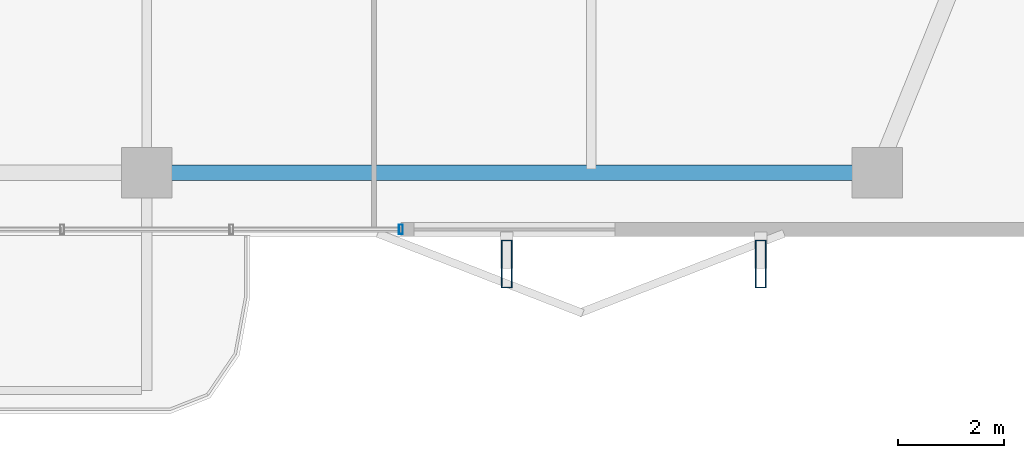
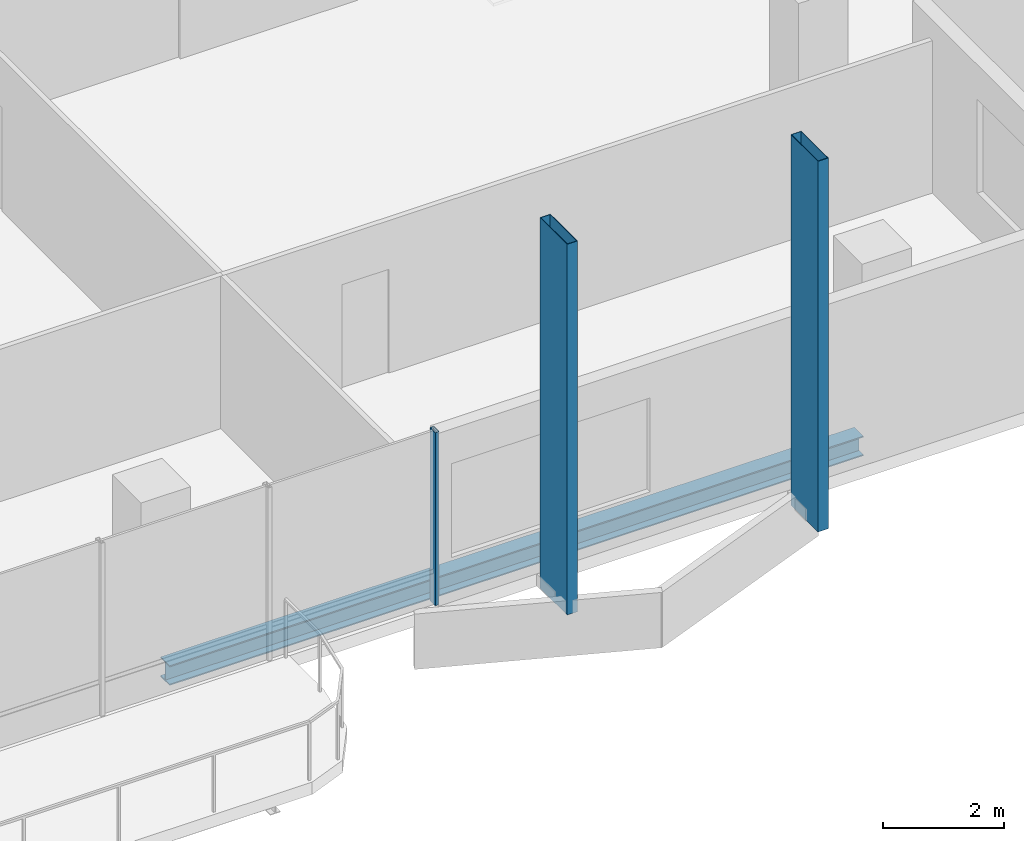
# One storey, part 8 of 25: 3 members, 1 beam, 1 element without a shape of its own.
"""IFC4 building model written with IfcOpenShell, lengths in metres."""

from ifc_helpers import new_model, si_unit, direction, frame, origin, origin_2d, place, context, subcontext, project, spatial, hollow_rectangle, i_section, extrude, material, layer, layer_set, material_profile, profile_set, type_object, element, aggregate, save


model = new_model("IFC4")

# Units and contexts
model_context = context("Model", 3, precision=1e-05, world=origin(), true_north=direction((0.0, 1.0)))
body_context = subcontext(model_context, "Body", "Model", "MODEL_VIEW")
ifc_project = project(units=[si_unit("LENGTHUNIT", "METRE"), si_unit("AREAUNIT", "SQUARE_METRE"), si_unit("VOLUMEUNIT", "CUBIC_METRE"), si_unit("PLANEANGLEUNIT", "RADIAN"), si_unit("MASSUNIT", "GRAM", prefix="KILO")], contexts=[model_context])

# Site, building, storey
site_placement = place(None, origin())
site = spatial("IfcSite", under=ifc_project, at=site_placement, CompositionType="ELEMENT")
building_placement = place(site_placement, origin())
building = spatial("IfcBuilding", under=site, at=building_placement, Name="Belovzor Exchange Tower", CompositionType="ELEMENT")
storey_placement = place(building_placement, frame((0.0, 0.0, 265.35009765625)))
storey = spatial("IfcBuildingStorey", under=building, at=storey_placement, Name="L66", CompositionType="ELEMENT", Elevation=265.35009765625)

# Members
ifc_material_1 = material(Name="Extruded Architectural Terracotta on Steel S355 Carrier", Category="masonry")
ifc_material_profile_1 = material_profile(ifc_material_1, hollow_rectangle(XDim=0.199951171875, YDim=0.89990234375, WallThickness=0.011962890625, at=origin_2d()))
ifc_profile_set_1 = profile_set([ifc_material_profile_1], Name="Extruded Architectural Terracotta on Steel S355 Carrier")
member_type_1 = type_object("IfcMemberType", Name="Sweeping Terracotta Baguette Fin Assembly 950", PredefinedType="USERDEFINED", material=ifc_profile_set_1)
for number, where, z_axis, x_axis, name in (
    (1, (35.60009765625, 3.375, -0.25), (0.0, 0.0, 1.0), (1.0, 0.0, 0.0), "FIN-TC095 Terracotta Facade Fin L66 S3"),
    (2, (40.39990234375, 3.375, -0.25), (0.0, 0.0, 1.0), (1.0, 0.0, 0.0), "FIN-TC095 Terracotta Facade Fin L66 S4"),
):
    element("IfcMember", number, at=place(storey_placement, frame(where, z_axis=z_axis, x_axis=x_axis)), inside=storey, type_object=member_type_1, Name=name, ObjectType="FIN", PredefinedType="USERDEFINED", context=body_context, shape_type="SweptSolid", body=[
        extrude(hollow_rectangle(XDim=0.199951171875, YDim=0.89990234375, WallThickness=0.011962890625, at=origin_2d()), origin(), (0.0, 0.0, 1.0), 7.5),
    ])

# Curtain wall, member
ifc_material_2 = material(Name="Anodised Aluminium Framing", Category="aluminium")
ifc_layer = layer(ifc_material_2, 0.179931640625)
ifc_layer_set = layer_set([ifc_layer], Name="Anodised Aluminium Framing")
curtain_wall_type = type_object("IfcCurtainWallType", Name="Recessed Loggia Low-Iron Triple-Glazed Curtain Wall", PredefinedType="NOTDEFINED", material=ifc_layer_set)
curtain_wall_placement = place(storey_placement, origin())
curtain_wall = element("IfcCurtainWall", 3, at=curtain_wall_placement, inside=storey, type_object=curtain_wall_type, Name="CW3 Recessed Loggia Low-Iron Triple-Glazed Curtain Wall L66", PredefinedType="NOTDEFINED")
ifc_material_3 = material(Name="Steel S355", Category="steel")
ifc_material_profile_2 = material_profile(ifc_material_3, hollow_rectangle(XDim=0.074951171875, YDim=0.179931640625, WallThickness=0.0048828125, at=origin_2d()))
ifc_profile_set_2 = profile_set([ifc_material_profile_2], Name="Steel S355")
member_type_2 = type_object("IfcMemberType", Name="Thermally Broken Curtain Wall Mullion 180x75", PredefinedType="MULLION", material=ifc_profile_set_2)
member_placement = place(storey_placement, frame((33.60009765625, 4.030029296875, 0.0), z_axis=(0.0, 0.0, 1.0), x_axis=(-1.0, 0.0, 0.0)))
member = element("IfcMember", 4, at=member_placement, type_object=member_type_2, Name="CW-M180 Curtain Wall Mullion 1", PredefinedType="MULLION", context=body_context, shape_type="SweptSolid", body=[
    extrude(hollow_rectangle(XDim=0.074951171875, YDim=0.179931640625, WallThickness=0.0048828125, at=origin_2d()), origin(), (0.0, 0.0, 1.0), 3.5),
])
aggregate(curtain_wall, [member])

# Beam
ifc_material_4 = material(Name="Steel S355", Category="steel")
ifc_material_profile_3 = material_profile(ifc_material_4, i_section(OverallWidth=0.300048828125, OverallDepth=0.39990234375, WebThickness=0.013427734375, FlangeThickness=0.02392578125, at=origin_2d()))
ifc_profile_set_3 = profile_set([ifc_material_profile_3], Name="Steel S355")
beam_type = type_object("IfcBeamType", Name="Zone 5 Primary Girder HEB 400", PredefinedType="BEAM", material=ifc_profile_set_3)
beam_placement = place(storey_placement, frame((29.06103515625, 5.10009765625, -0.4501953125), z_axis=(1.0, 0.0, 0.0), x_axis=(0.0, 1.0, 0.0)))
element("IfcBeam", 5, at=beam_placement, inside=storey, type_object=beam_type, Name="FG-Z5 Zone 5 Primary Girder HEB 400", PredefinedType="BEAM", context=body_context, shape_type="SweptSolid", body=[
    extrude(i_section(OverallWidth=0.300048828125, OverallDepth=0.39990234375, WebThickness=0.013427734375, FlangeThickness=0.02392578125, at=origin_2d()), origin(), (0.0, 0.0, 1.0), 13.278076171875),
])

save(model, "model.ifc")
